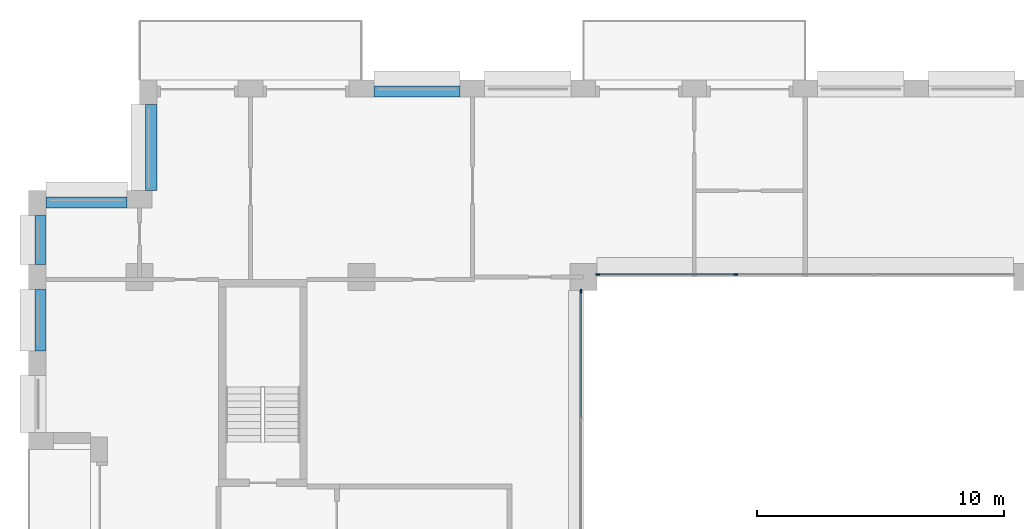
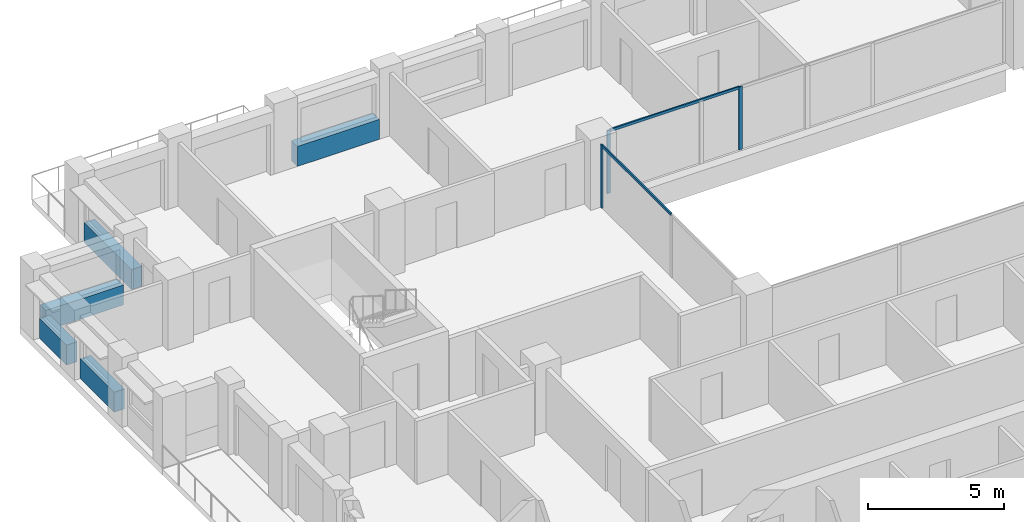
# One storey, part 5 of 16: 5 beams, 5 members, 2 elements without a shape of their own.
"""IFC4 building model written with IfcOpenShell, lengths in metres."""

from ifc_helpers import new_model, si_unit, direction, frame, origin, origin_2d, place, context, subcontext, project, spatial, rectangle, extrude, material, layer, layer_set, material_profile, profile_set, type_object, element, aggregate, save


model = new_model("IFC4")

# Units and contexts
model_context = context("Model", 3, precision=1e-05, world=origin(), true_north=direction((0.0, 1.0)))
body_context = subcontext(model_context, "Body", "Model", "MODEL_VIEW")
ifc_project = project(units=[si_unit("LENGTHUNIT", "METRE"), si_unit("AREAUNIT", "SQUARE_METRE"), si_unit("VOLUMEUNIT", "CUBIC_METRE"), si_unit("PLANEANGLEUNIT", "RADIAN"), si_unit("MASSUNIT", "GRAM", prefix="KILO")], contexts=[model_context])

# Site, building, storey
site_placement = place(None, origin())
site = spatial("IfcSite", under=ifc_project, at=site_placement, CompositionType="ELEMENT")
building_placement = place(site_placement, origin())
building = spatial("IfcBuilding", under=site, at=building_placement, Name="Brigalow Station Residences", CompositionType="ELEMENT")
storey_placement = place(building_placement, frame((0.0, 0.0, 166.5)))
storey = spatial("IfcBuildingStorey", under=building, at=storey_placement, Name="L48", CompositionType="ELEMENT", Elevation=166.5)

# Curtain wall, members
ifc_material_1 = material(Name="Aluminium", Category="aluminium")
ifc_layer = layer(ifc_material_1, 0.14990234375)
ifc_layer_set = layer_set([ifc_layer], Name="ATRIUM FIRE-RATED GLAZING CURTAIN WALL")
curtain_wall_type = type_object("IfcCurtainWallType", Name="ATRIUM FIRE-RATED GLAZING CURTAIN WALL", PredefinedType="NOTDEFINED", material=ifc_layer_set)
curtain_wall_1_placement = place(storey_placement, origin())
curtain_wall_1 = element("IfcCurtainWall", 1, at=curtain_wall_1_placement, inside=storey, type_object=curtain_wall_type, Name="L48/cw/atrium-N", PredefinedType="NOTDEFINED")
ifc_material_2 = material(Name="Aluminium", Category="aluminium")
ifc_material_profile_1 = material_profile(ifc_material_2, rectangle(XDim=0.06005859375, YDim=0.14990234375, at=origin_2d()), Name="ATRIUM FIRE-RATED GLAZING MULLION 60x150")
ifc_profile_set_1 = profile_set([ifc_material_profile_1], Name="Aluminium")
member_type_1 = type_object("IfcMemberType", Name="ATRIUM FIRE-RATED GLAZING MULLION 60x150", PredefinedType="MULLION", material=ifc_profile_set_1)
member_1_placement = place(storey_placement, frame((33.183349609375, 35.60009765625, 0.0), z_axis=(0.0, 0.0, 1.0), x_axis=(0.0, -1.0, 0.0)))
member_1 = element("IfcMember", 2, at=member_1_placement, type_object=member_type_1, Name="L48/cw/atrium-N/M02", PredefinedType="MULLION", context=body_context, shape_type="SweptSolid", body=[
    extrude(rectangle(XDim=0.06005859375, YDim=0.14990234375, at=origin_2d()), origin(), (0.0, 0.0, 1.0), 2.830078125),
])
member_2_placement = place(storey_placement, frame((27.580078125, 35.60009765625, 0.0), z_axis=(0.0, 0.0, 1.0), x_axis=(0.0, -1.0, 0.0)))
member_2 = element("IfcMember", 3, at=member_2_placement, type_object=member_type_1, Name="L48/cw/atrium-N/M03", PredefinedType="MULLION", context=body_context, shape_type="SweptSolid", body=[
    extrude(rectangle(XDim=0.06005859375, YDim=0.14990234375, at=origin_2d()), origin(), (0.0, 0.0, 1.0), 2.830078125),
])

# Curtain wall, member
curtain_wall_2_placement = place(storey_placement, origin())
curtain_wall_2 = element("IfcCurtainWall", 4, at=curtain_wall_2_placement, inside=storey, type_object=curtain_wall_type, Name="L48/cw/atrium-W", PredefinedType="NOTDEFINED")
member_3_placement = place(storey_placement, frame((26.89990234375, 34.919921875, 0.0), z_axis=(0.0, 0.0, 1.0), x_axis=(1.0, 0.0, 0.0)))
member_3 = element("IfcMember", 5, at=member_3_placement, type_object=member_type_1, Name="L48/cw/atrium-W/M00", PredefinedType="MULLION", context=body_context, shape_type="SweptSolid", body=[
    extrude(rectangle(XDim=0.06005859375, YDim=0.14990234375, at=origin_2d()), origin(), (0.0, 0.0, 1.0), 2.830078125),
])

# Member
ifc_material_3 = material(Name="Aluminium", Category="aluminium")
ifc_material_profile_2 = material_profile(ifc_material_3, rectangle(XDim=0.06005859375, YDim=0.1201171875, at=origin_2d()), Name="ATRIUM FIRE-RATED GLAZING TRANSOM 60x120")
ifc_profile_set_2 = profile_set([ifc_material_profile_2], Name="Aluminium")
member_type_2 = type_object("IfcMemberType", Name="ATRIUM FIRE-RATED GLAZING TRANSOM 60x120", PredefinedType="USERDEFINED", material=ifc_profile_set_2)
member_4_placement = place(storey_placement, frame((33.1533203125, 35.60009765625, 2.800048828125), z_axis=(-1.0, 0.0, 0.0), x_axis=(0.0, -1.0, 0.0)))
member_4 = element("IfcMember", 6, at=member_4_placement, type_object=member_type_2, Name="L48/cw/atrium-N/T02-00", ObjectType="TRANSOM", PredefinedType="USERDEFINED", context=body_context, shape_type="SweptSolid", body=[
    extrude(rectangle(XDim=0.06005859375, YDim=0.1201171875, at=origin_2d()), origin(), (0.0, 0.0, 1.0), 5.543212890625),
])

aggregate(curtain_wall_1, [member_1, member_2, member_4])

member_5_placement = place(storey_placement, frame((26.89990234375, 34.889892578125, 2.800048828125), z_axis=(0.0, -1.0, 0.0), x_axis=(1.0, 0.0, 0.0)))
member_5 = element("IfcMember", 7, at=member_5_placement, type_object=member_type_2, Name="L48/cw/atrium-W/T00-00", ObjectType="TRANSOM", PredefinedType="USERDEFINED", context=body_context, shape_type="SweptSolid", body=[
    extrude(rectangle(XDim=0.06005859375, YDim=0.1201171875, at=origin_2d()), origin(), (0.0, 0.0, 1.0), 5.10986328125),
])

aggregate(curtain_wall_2, [member_3, member_5])

# Beams
ifc_material_4 = material(Name="Concrete C50", Category="concrete")
ifc_material_profile_3 = material_profile(ifc_material_4, rectangle(XDim=0.449951171875, YDim=0.89990234375, at=origin_2d()), Name="RC450x900")
ifc_profile_set_3 = profile_set([ifc_material_profile_3], Name="Concrete C50")
beam_type = type_object("IfcBeamType", Name="SPANDREL BEAM 450x900 C50", PredefinedType="SPANDREL", material=ifc_profile_set_3)
for number, where, z_axis, x_axis, name in (
    (8, (22.0, 43.02490234375, 0.449951171875), (-1.0, 0.0, 0.0), (0.0, -1.0, 0.0), "L48/spandrel/W-L48-32"),
    (9, (9.47509765625, 42.5, 0.449951171875), (0.0, -1.0, 0.0), (1.0, 0.0, 0.0), "L48/spandrel/W-L48-35"),
):
    element("IfcBeam", number, at=place(storey_placement, frame(where, z_axis=z_axis, x_axis=x_axis)), inside=storey, type_object=beam_type, Name=name, PredefinedType="SPANDREL", context=body_context, shape_type="SweptSolid", body=[
        extrude(rectangle(XDim=0.449951171875, YDim=0.89990234375, at=origin_2d()), origin(), (0.0, 0.0, 1.0), 3.5),
    ])
beam_1_placement = place(storey_placement, frame((8.5, 38.52490234375, 0.449951171875), z_axis=(-1.0, 0.0, 0.0), x_axis=(0.0, -1.0, 0.0)))
element("IfcBeam", 10, at=beam_1_placement, inside=storey, type_object=beam_type, Name="L48/spandrel/W-L48-36", PredefinedType="SPANDREL", context=body_context, shape_type="SweptSolid", body=[
    extrude(rectangle(XDim=0.449951171875, YDim=0.89990234375, at=origin_2d()), origin(), (0.0, 0.0, 1.0), 3.300048828125),
])
beam_2_placement = place(storey_placement, frame((4.97509765625, 38.0, 0.449951171875), z_axis=(0.0, -1.0, 0.0), x_axis=(1.0, 0.0, 0.0)))
element("IfcBeam", 11, at=beam_2_placement, inside=storey, type_object=beam_type, Name="L48/spandrel/W-L48-37", PredefinedType="SPANDREL", context=body_context, shape_type="SweptSolid", body=[
    extrude(rectangle(XDim=0.449951171875, YDim=0.89990234375, at=origin_2d()), origin(), (0.0, 0.0, 1.0), 2.0),
])
beam_3_placement = place(storey_placement, frame((4.97509765625, 35.0, 0.449951171875), z_axis=(0.0, -1.0, 0.0), x_axis=(1.0, 0.0, 0.0)))
element("IfcBeam", 12, at=beam_3_placement, inside=storey, type_object=beam_type, Name="L48/spandrel/W-L48-38", PredefinedType="SPANDREL", context=body_context, shape_type="SweptSolid", body=[
    extrude(rectangle(XDim=0.449951171875, YDim=0.89990234375, at=origin_2d()), origin(), (0.0, 0.0, 1.0), 2.5),
])

save(model, "model.ifc")
